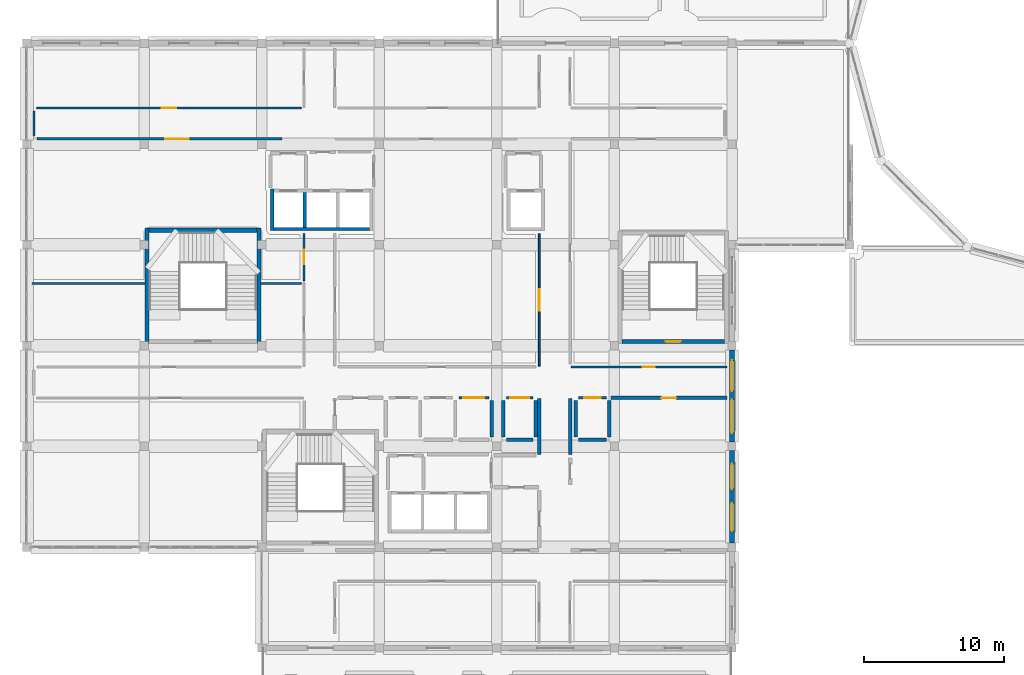
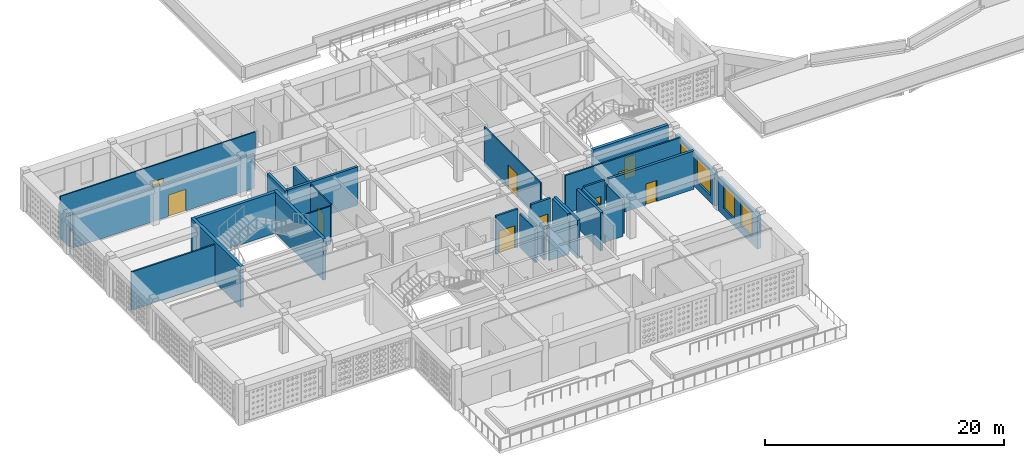
# One storey, part 30 of 48: 30 walls, 10 doors, 4 windows, 14 openings.
"""IFC4 building model written with IfcOpenShell, lengths in metres."""

from ifc_helpers import new_model, si_unit, derived_unit, direction, frame, frame_2d, origin, place, context, subcontext, project, spatial, rectangle, extrude, material, layer, layer_set, type_object, element, fill, save


model = new_model("IFC4")

# Units and contexts
model_context = context("Model", 3, precision=1e-05, world=origin(), true_north=direction((0.0, 1.0)))
body_context = subcontext(model_context, "Body", "Model", "MODEL_VIEW")
ifc_project = project(units=[si_unit("LENGTHUNIT", "METRE"), si_unit("AREAUNIT", "SQUARE_METRE"), si_unit("VOLUMEUNIT", "CUBIC_METRE"), si_unit("PLANEANGLEUNIT", "RADIAN"), si_unit("MASSUNIT", "GRAM", prefix="KILO"), derived_unit("THERMALTRANSMITTANCEUNIT", [(si_unit("POWERUNIT", "WATT"), 1), (si_unit("LENGTHUNIT", "METRE"), -2), (si_unit("THERMODYNAMICTEMPERATUREUNIT", "KELVIN"), -1)])], contexts=[model_context])

# Site, building, storey
site_placement = place(None, origin())
site = spatial("IfcSite", under=ifc_project, at=site_placement, CompositionType="ELEMENT")
building_placement = place(site_placement, origin())
building = spatial("IfcBuilding", under=site, at=building_placement, Name="Veybourne Emporium", CompositionType="ELEMENT")
storey_placement = place(building_placement, frame((0.0, 0.0, 27.89990234375)))
storey = spatial("IfcBuildingStorey", under=building, at=storey_placement, Name="L06", CompositionType="ELEMENT", Elevation=27.89990234375)

# Wall, openings, windows
ifc_material_1 = material(Name="Portland Limestone Ashlar", Category="masonry")
ifc_layer_1 = layer(ifc_material_1, 0.3798828125)
ifc_layer_set_1 = layer_set([ifc_layer_1], Name="Portland Limestone Ashlar")
wall_type_1 = type_object("IfcWallType", Name="ExtWall_EW-03", PredefinedType="SOLIDWALL", material=ifc_layer_set_1)
wall_1_placement = place(storey_placement, frame((50.39990234375, 21.300048828125, 0.0), z_axis=(0.0, 0.0, 1.0), x_axis=(0.0, -1.0, 0.0)))
wall_1 = element("IfcWall", 1, at=wall_1_placement, inside=storey, type_object=wall_type_1, Name="L06 Portland stone external wall 019", PredefinedType="SOLIDWALL", context=body_context, shape_type="SweptSolid", body=[
    extrude(rectangle(XDim=6.60009765625, YDim=0.3798828125, at=frame_2d((3.300048828125, 0.0))), origin(), (0.0, 0.0, 1.0), 3.360107421875),
])
opening_1_placement = place(wall_1_placement, frame((0.947998046875, 0.0, 0.75)))
opening_1 = element("IfcOpeningElement", 2, at=opening_1_placement, cuts=wall_1, Name="Opening W-52", PredefinedType="OPENING", context=body_context, shape_type="SweptSolid", body=[
    extrude(rectangle(XDim=1.800048828125, YDim=2.4599609375, at=frame_2d((0.89990234375, 1.22998046875))), frame((0.0, 0.2099609375, 0.0), z_axis=(0.0, -1.0, 0.0), x_axis=(1.0, 0.0, 0.0)), (0.0, 0.0, 1.0), 0.419921875),
])
opening_2_placement = place(wall_1_placement, frame((3.751953125, 0.0, 0.75)))
opening_2 = element("IfcOpeningElement", 3, at=opening_2_placement, cuts=wall_1, Name="Opening W-53", PredefinedType="OPENING", context=body_context, shape_type="SweptSolid", body=[
    extrude(rectangle(XDim=2.0, YDim=2.4599609375, at=frame_2d((1.0, 1.22998046875))), frame((0.0, 0.2099609375, 0.0), z_axis=(0.0, -1.0, 0.0), x_axis=(1.0, 0.0, 0.0)), (0.0, 0.0, 1.0), 0.419921875),
])
ifc_material_2 = material(Name="Low-E Triple Glazing", Category="glass")
window_type_1 = type_object("IfcWindowType", Name="Win_W-52", PartitioningType="DOUBLE_PANEL_VERTICAL", PredefinedType="WINDOW", material=ifc_material_2)
window_1_placement = place(opening_1_placement, origin())
window_1 = element("IfcWindow", 4, at=window_1_placement, inside=storey, type_object=window_type_1, Name="L06 tripartite bronze casement window W-52 (19.1)", OverallHeight=2.4599609375, OverallWidth=1.800048828125, PartitioningType="DOUBLE_PANEL_VERTICAL", PredefinedType="WINDOW", context=body_context, shape_type="SweptSolid", body=[
    extrude(rectangle(XDim=1.800048828125, YDim=2.4599609375, at=frame_2d((0.89990234375, 1.22998046875))), frame((0.0, 0.030029296875, 0.0), z_axis=(0.0, -1.0, 0.0), x_axis=(1.0, 0.0, 0.0)), (0.0, 0.0, 1.0), 0.06005859375),
])
fill(opening_1, window_1)
window_type_2 = type_object("IfcWindowType", Name="Win_W-53", PartitioningType="TRIPLE_PANEL_VERTICAL", PredefinedType="WINDOW", material=ifc_material_2)
window_2_placement = place(opening_2_placement, origin())
window_2 = element("IfcWindow", 5, at=window_2_placement, inside=storey, type_object=window_type_2, Name="L06 tripartite bronze casement window W-53 (19.2)", OverallHeight=2.4599609375, OverallWidth=2.0, PartitioningType="TRIPLE_PANEL_VERTICAL", PredefinedType="WINDOW", context=body_context, shape_type="SweptSolid", body=[
    extrude(rectangle(XDim=2.0, YDim=2.4599609375, at=frame_2d((1.0, 1.22998046875))), frame((0.0, 0.030029296875, 0.0), z_axis=(0.0, -1.0, 0.0), x_axis=(1.0, 0.0, 0.0)), (0.0, 0.0, 1.0), 0.06005859375),
])
fill(opening_2, window_2)

wall_2_placement = place(storey_placement, frame((50.39990234375, 28.5, 0.0), z_axis=(0.0, 0.0, 1.0), x_axis=(0.0, -1.0, 0.0)))
wall_2 = element("IfcWall", 6, at=wall_2_placement, inside=storey, type_object=wall_type_1, Name="L06 Portland stone external wall 020", PredefinedType="SOLIDWALL", context=body_context, shape_type="SweptSolid", body=[
    extrude(rectangle(XDim=6.60009765625, YDim=0.3798828125, at=frame_2d((3.300048828125, 0.0))), origin(), (0.0, 0.0, 1.0), 3.360107421875),
])
opening_3_placement = place(wall_2_placement, frame((0.748046875, 0.0, 0.75)))
opening_3 = element("IfcOpeningElement", 7, at=opening_3_placement, cuts=wall_2, Name="Opening W-54", PredefinedType="OPENING", context=body_context, shape_type="SweptSolid", body=[
    extrude(rectangle(XDim=2.199951171875, YDim=2.4599609375, at=frame_2d((1.10009765625, 1.22998046875))), frame((0.0, 0.2099609375, 0.0), z_axis=(0.0, -1.0, 0.0), x_axis=(1.0, 0.0, 0.0)), (0.0, 0.0, 1.0), 0.419921875),
])
opening_4_placement = place(wall_2_placement, frame((3.552001953125, 0.0, 0.75)))
opening_4 = element("IfcOpeningElement", 8, at=opening_4_placement, cuts=wall_2, Name="Opening W-55", PredefinedType="OPENING", context=body_context, shape_type="SweptSolid", body=[
    extrude(rectangle(XDim=2.39990234375, YDim=2.4599609375, at=frame_2d((1.199951171875, 1.22998046875))), frame((0.0, 0.2099609375, 0.0), z_axis=(0.0, -1.0, 0.0), x_axis=(1.0, 0.0, 0.0)), (0.0, 0.0, 1.0), 0.419921875),
])
window_type_3 = type_object("IfcWindowType", Name="Win_W-54", PartitioningType="TRIPLE_PANEL_VERTICAL", PredefinedType="WINDOW", material=ifc_material_2)
window_3_placement = place(opening_3_placement, origin())
window_3 = element("IfcWindow", 9, at=window_3_placement, inside=storey, type_object=window_type_3, Name="L06 tripartite bronze casement window W-54 (20.1)", OverallHeight=2.4599609375, OverallWidth=2.199951171875, PartitioningType="TRIPLE_PANEL_VERTICAL", PredefinedType="WINDOW", context=body_context, shape_type="SweptSolid", body=[
    extrude(rectangle(XDim=2.199951171875, YDim=2.4599609375, at=frame_2d((1.10009765625, 1.22998046875))), frame((0.0, 0.030029296875, 0.0), z_axis=(0.0, -1.0, 0.0), x_axis=(1.0, 0.0, 0.0)), (0.0, 0.0, 1.0), 0.06005859375),
])
fill(opening_3, window_3)
window_type_4 = type_object("IfcWindowType", Name="Win_W-55", PartitioningType="TRIPLE_PANEL_VERTICAL", PredefinedType="WINDOW", material=ifc_material_2)
window_4_placement = place(opening_4_placement, origin())
window_4 = element("IfcWindow", 10, at=window_4_placement, inside=storey, type_object=window_type_4, Name="L06 tripartite bronze casement window W-55 (20.2)", OverallHeight=2.4599609375, OverallWidth=2.39990234375, PartitioningType="TRIPLE_PANEL_VERTICAL", PredefinedType="WINDOW", context=body_context, shape_type="SweptSolid", body=[
    extrude(rectangle(XDim=2.39990234375, YDim=2.4599609375, at=frame_2d((1.199951171875, 1.22998046875))), frame((0.0, 0.030029296875, 0.0), z_axis=(0.0, -1.0, 0.0), x_axis=(1.0, 0.0, 0.0)), (0.0, 0.0, 1.0), 0.06005859375),
])
fill(opening_4, window_4)

# Walls
ifc_material_3 = material(Name="Concrete C40/50", Category="concrete")
ifc_layer_2 = layer(ifc_material_3, 0.300048828125)
ifc_layer_set_2 = layer_set([ifc_layer_2], Name="Concrete C40/50")
wall_type_2 = type_object("IfcWallType", Name="IntWall_CW-03", PredefinedType="SHEAR", material=ifc_layer_set_2)
wall_3_placement = place(storey_placement, frame((8.75, 37.050048828125, 0.0), z_axis=(0.0, 0.0, 1.0), x_axis=(1.0, 0.0, 0.0)))
element("IfcWall", 11, at=wall_3_placement, inside=storey, type_object=wall_type_2, Name="Core stair ST-02 north shear wall (L06)", PredefinedType="SHEAR", context=body_context, shape_type="SweptSolid", body=[
    extrude(rectangle(XDim=7.699951171875, YDim=0.300048828125, at=frame_2d((3.85009765625, 0.0))), origin(), (0.0, 0.0, 1.0), 4.2001953125),
])
for number, where, z_axis, x_axis, name in (
    (12, (8.60009765625, 37.199951171875, 0.0), (0.0, 0.0, 1.0), (0.0, -1.0, 0.0), "Core stair ST-02 west shear wall (L06)"),
    (13, (16.60009765625, 28.949951171875, 0.0), (0.0, 0.0, 1.0), (0.0, 1.0, 0.0), "Core stair ST-02 east shear wall (L06)"),
):
    element("IfcWall", number, at=place(storey_placement, frame(where, z_axis=z_axis, x_axis=x_axis)), inside=storey, type_object=wall_type_2, Name=name, PredefinedType="SHEAR", context=body_context, shape_type="SweptSolid", body=[
        extrude(rectangle(XDim=8.25, YDim=0.300048828125, at=frame_2d((4.125, 0.0))), origin(), (0.0, 0.0, 1.0), 4.2001953125),
    ])

# Wall, opening, door
wall_4_placement = place(storey_placement, frame((49.85009765625, 29.10009765625, 0.0), z_axis=(0.0, 0.0, 1.0), x_axis=(-1.0, 0.0, 0.0)))
wall_4 = element("IfcWall", 14, at=wall_4_placement, inside=storey, type_object=wall_type_2, Name="Core stair ST-05 south shear wall (L06)", PredefinedType="SHEAR", context=body_context, shape_type="SweptSolid", body=[
    extrude(rectangle(XDim=7.300048828125, YDim=0.300048828125, at=frame_2d((3.64990234375, 0.0))), origin(), (0.0, 0.0, 1.0), 4.2001953125),
])
opening_5_placement = place(wall_4_placement, frame((3.10009765625, 0.0, 0.0)))
opening_5 = element("IfcOpeningElement", 15, at=opening_5_placement, cuts=wall_4, Name="Opening FD-01", PredefinedType="OPENING", context=body_context, shape_type="SweptSolid", body=[
    extrude(rectangle(XDim=1.10009765625, YDim=2.199951171875, at=frame_2d((0.550048828125, 1.10009765625))), frame((0.0, 0.169921875, 0.0), z_axis=(0.0, -1.0, 0.0), x_axis=(1.0, 0.0, 0.0)), (0.0, 0.0, 1.0), 0.340087890625),
])
ifc_material_4 = material(Name="Patinated Architectural Bronze", Category="bronze")
door_type_1 = type_object("IfcDoorType", Name="FireDoor_FD-01", OperationType="NOTDEFINED", PredefinedType="DOOR", material=ifc_material_4)
door_1_placement = place(opening_5_placement, origin())
door_1 = element("IfcDoor", 16, at=door_1_placement, inside=storey, type_object=door_type_1, Name="Stair ST-05 fire door (L06)", OperationType="SINGLE_SWING_RIGHT", OverallHeight=2.199951171875, OverallWidth=1.10009765625, PredefinedType="DOOR", context=body_context, shape_type="SweptSolid", body=[
    extrude(rectangle(XDim=1.10009765625, YDim=2.199951171875, at=frame_2d((0.550048828125, 1.10009765625))), frame((0.0, 0.02490234375, 0.0), z_axis=(0.0, -1.0, 0.0), x_axis=(1.0, 0.0, 0.0)), (0.0, 0.0, 1.0), 0.050048828125),
])
fill(opening_5, door_1)

# Walls
ifc_layer_3 = layer(ifc_material_3, 0.239990234375)
ifc_layer_set_3 = layer_set([ifc_layer_3], Name="Concrete C40/50")
wall_type_3 = type_object("IfcWallType", Name="IntWall_CW-04", PredefinedType="SHEAR", material=ifc_layer_set_3)
wall_5_placement = place(storey_placement, frame((17.659912109375, 37.1298828125, 0.0), z_axis=(0.0, 0.0, 1.0), x_axis=(1.0, 0.0, 0.0)))
element("IfcWall", 17, at=wall_5_placement, inside=storey, type_object=wall_type_3, Name="Lift core C2 south shaft wall (L06)", PredefinedType="SHEAR", context=body_context, shape_type="SweptSolid", body=[
    extrude(rectangle(XDim=6.820068359375, YDim=0.239990234375, at=frame_2d((3.41015625, 0.0))), origin(), (0.0, 0.0, 1.0), 3.91015625),
])
wall_6_placement = place(storey_placement, frame((17.5400390625, 39.989990234375, 0.0), z_axis=(0.0, 0.0, 1.0), x_axis=(0.0, -1.0, 0.0)))
element("IfcWall", 18, at=wall_6_placement, inside=storey, type_object=wall_type_3, Name="Lift core C2 west shaft wall (L06)", PredefinedType="SHEAR", context=body_context, shape_type="SweptSolid", body=[
    extrude(rectangle(XDim=2.97998046875, YDim=0.239990234375, at=frame_2d((1.489990234375, 0.0))), origin(), (0.0, 0.0, 1.0), 3.91015625),
])
wall_7_placement = place(storey_placement, frame((19.8798828125, 37.25, 0.0), z_axis=(0.0, 0.0, 1.0), x_axis=(0.0, 1.0, 0.0)))
element("IfcWall", 19, at=wall_7_placement, inside=storey, type_object=wall_type_3, Name="Lift core C2 divider wall 1 (L06)", PredefinedType="SHEAR", context=body_context, shape_type="SweptSolid", body=[
    extrude(rectangle(XDim=2.5, YDim=0.239990234375, at=frame_2d((1.25, 0.0))), origin(), (0.0, 0.0, 1.0), 3.91015625),
])

# Wall, opening, door
ifc_material_5 = material(Name="Concrete C32/40", Category="concrete")
ifc_layer_4 = layer(ifc_material_5, 0.25)
ifc_layer_set_4 = layer_set([ifc_layer_4], Name="Concrete C32/40")
wall_type_4 = type_object("IfcWallType", Name="IntWall_FW-01", PredefinedType="SOLIDWALL", material=ifc_layer_set_4)
wall_8_placement = place(storey_placement, frame((41.735107421875, 25.070068359375, 0.0), z_axis=(0.0, 0.0, 1.0), x_axis=(1.0, 0.0, 0.0)))
wall_8 = element("IfcWall", 20, at=wall_8_placement, inside=storey, type_object=wall_type_4, Name="L06 interior partition FW-01 #021", PredefinedType="SOLIDWALL", context=body_context, shape_type="SweptSolid", body=[
    extrude(rectangle(XDim=8.294921875, YDim=0.25, at=frame_2d((4.1474609375, 0.0))), origin(), (0.0, 0.0, 1.0), 3.91015625),
])
opening_6_placement = place(wall_8_placement, frame((3.62255859375, 0.0, 0.0)))
opening_6 = element("IfcOpeningElement", 21, at=opening_6_placement, cuts=wall_8, Name="Opening FD-02", PredefinedType="OPENING", context=body_context, shape_type="SweptSolid", body=[
    extrude(rectangle(XDim=1.050048828125, YDim=2.14990234375, at=frame_2d((0.52490234375, 1.074951171875))), frame((0.0, 0.14501953125, 0.0), z_axis=(0.0, -1.0, 0.0), x_axis=(1.0, 0.0, 0.0)), (0.0, 0.0, 1.0), 0.2900390625),
])
door_type_2 = type_object("IfcDoorType", Name="FireDoor_FD-02", OperationType="NOTDEFINED", PredefinedType="DOOR", material=ifc_material_4)
door_2_placement = place(opening_6_placement, origin())
door_2 = element("IfcDoor", 22, at=door_2_placement, inside=storey, type_object=door_type_2, Name="L06 interior door FD-02 (PART-L06-021)", OperationType="SINGLE_SWING_LEFT", OverallHeight=2.14990234375, OverallWidth=1.050048828125, PredefinedType="DOOR", context=body_context, shape_type="SweptSolid", body=[
    extrude(rectangle(XDim=1.050048828125, YDim=2.14990234375, at=frame_2d((0.52490234375, 1.074951171875))), frame((0.0, 0.02490234375, 0.0), z_axis=(0.0, -1.0, 0.0), x_axis=(1.0, 0.0, 0.0)), (0.0, 0.0, 1.0), 0.050048828125),
])
fill(opening_6, door_2)

# Walls
for number, where, z_axis, x_axis, name in (
    (23, (36.6201171875, 21.030029296875, 0.0), (0.0, 0.0, 1.0), (0.0, 1.0, 0.0), "L06 interior partition FW-01 #032"),
    (24, (38.830078125, 21.030029296875, 0.0), (0.0, 0.0, 1.0), (0.0, 1.0, 0.0), "L06 interior partition FW-01 #033"),
):
    element("IfcWall", number, at=place(storey_placement, frame(where, z_axis=z_axis, x_axis=x_axis)), inside=storey, type_object=wall_type_4, Name=name, PredefinedType="SOLIDWALL", context=body_context, shape_type="SweptSolid", body=[
        extrude(rectangle(XDim=3.989990234375, YDim=0.25, at=frame_2d((1.9951171875, 0.0))), origin(), (0.0, 0.0, 1.0), 3.91015625),
    ])
wall_9_placement = place(storey_placement, frame((33.22998046875, 22.280029296875, 0.0), z_axis=(0.0, 0.0, 1.0), x_axis=(0.0, 1.0, 0.0)))
element("IfcWall", 25, at=wall_9_placement, inside=storey, type_object=wall_type_4, Name="L06 interior partition FW-01 #059", PredefinedType="SOLIDWALL", context=body_context, shape_type="SweptSolid", body=[
    extrude(rectangle(XDim=2.590087890625, YDim=0.25, at=frame_2d((1.294921875, 0.0))), origin(), (0.0, 0.0, 1.0), 3.460205078125),
])
wall_10_placement = place(storey_placement, frame((36.3798828125, 22.280029296875, 0.0), z_axis=(0.0, 0.0, 1.0), x_axis=(0.0, 1.0, 0.0)))
element("IfcWall", 26, at=wall_10_placement, inside=storey, type_object=wall_type_4, Name="L06 interior partition FW-01 #060", PredefinedType="SOLIDWALL", context=body_context, shape_type="SweptSolid", body=[
    extrude(rectangle(XDim=2.590087890625, YDim=0.25, at=frame_2d((1.294921875, 0.0))), origin(), (0.0, 0.0, 1.0), 3.91015625),
])
for number, where, z_axis, x_axis, name in (
    (27, (34.070068359375, 22.280029296875, 0.0), (0.0, 0.0, 1.0), (0.0, 1.0, 0.0), "L06 interior partition FW-01 #061"),
    (28, (41.6298828125, 22.280029296875, 0.0), (0.0, 0.0, 1.0), (0.0, 1.0, 0.0), "L06 interior partition FW-01 #062"),
):
    element("IfcWall", number, at=place(storey_placement, frame(where, z_axis=z_axis, x_axis=x_axis)), inside=storey, type_object=wall_type_4, Name=name, PredefinedType="SOLIDWALL", context=body_context, shape_type="SweptSolid", body=[
        extrude(rectangle(XDim=2.590087890625, YDim=0.25, at=frame_2d((1.294921875, 0.0))), origin(), (0.0, 0.0, 1.0), 3.460205078125),
    ])
wall_11_placement = place(storey_placement, frame((39.219970703125, 22.280029296875, 0.0), z_axis=(0.0, 0.0, 1.0), x_axis=(0.0, 1.0, 0.0)))
element("IfcWall", 29, at=wall_11_placement, inside=storey, type_object=wall_type_4, Name="L06 interior partition FW-01 #063", PredefinedType="SOLIDWALL", context=body_context, shape_type="SweptSolid", body=[
    extrude(rectangle(XDim=2.590087890625, YDim=0.25, at=frame_2d((1.294921875, 0.0))), origin(), (0.0, 0.0, 1.0), 3.91015625),
])
wall_12_placement = place(storey_placement, frame((39.429931640625, 22.070068359375, 0.0), z_axis=(0.0, 0.0, 1.0), x_axis=(1.0, 0.0, 0.0)))
element("IfcWall", 30, at=wall_12_placement, inside=storey, type_object=wall_type_4, Name="L06 interior partition FW-01 #066", PredefinedType="SOLIDWALL", context=body_context, shape_type="SweptSolid", body=[
    extrude(rectangle(XDim=1.989990234375, YDim=0.25, at=frame_2d((0.9951171875, 0.0))), origin(), (0.0, 0.0, 1.0), 3.460205078125),
])
wall_13_placement = place(storey_placement, frame((34.280029296875, 22.070068359375, 0.0), z_axis=(0.0, 0.0, 1.0), x_axis=(1.0, 0.0, 0.0)))
element("IfcWall", 31, at=wall_13_placement, inside=storey, type_object=wall_type_4, Name="L06 interior partition FW-01 #067", PredefinedType="SOLIDWALL", context=body_context, shape_type="SweptSolid", body=[
    extrude(rectangle(XDim=1.889892578125, YDim=0.25, at=frame_2d((0.94482421875, 0.0))), origin(), (0.0, 0.0, 1.0), 3.460205078125),
])

# Wall, opening, door
ifc_material_6 = material(Name="Gypsum Acoustic Board", Category="gypsum")
ifc_layer_5 = layer(ifc_material_6, 0.179931640625)
ifc_layer_set_5 = layer_set([ifc_layer_5], Name="Gypsum Acoustic Board")
wall_type_5 = type_object("IfcWallType", Name="IntWall_IW-01", PredefinedType="PARTITIONING", material=ifc_layer_set_5)
wall_14_placement = place(storey_placement, frame((0.72998046875, 43.570068359375, 0.0), z_axis=(0.0, 0.0, 1.0), x_axis=(1.0, 0.0, 0.0)))
wall_14 = element("IfcWall", 32, at=wall_14_placement, inside=storey, type_object=wall_type_5, Name="L06 interior partition IW-01 #002", PredefinedType="PARTITIONING", context=body_context, shape_type="SweptSolid", body=[
    extrude(rectangle(XDim=17.500244140625, YDim=0.179931640625, at=frame_2d((8.75, 0.0))), origin(), (0.0, 0.0, 1.0), 3.460205078125),
])
opening_7_placement = place(wall_14_placement, frame((9.17578125, 0.0, 0.0)))
opening_7 = element("IfcOpeningElement", 33, at=opening_7_placement, cuts=wall_14, Name="Opening D-18", PredefinedType="OPENING", context=body_context, shape_type="SweptSolid", body=[
    extrude(rectangle(XDim=1.679931640625, YDim=2.2099609375, at=frame_2d((0.83984375, 1.10498046875))), frame((0.0, 0.10986328125, 0.0), z_axis=(0.0, -1.0, 0.0), x_axis=(1.0, 0.0, 0.0)), (0.0, 0.0, 1.0), 0.219970703125),
])
ifc_material_7 = material(Name="European Oak Veneer and Bronze", Category="wood")
door_type_3 = type_object("IfcDoorType", Name="IntDoor_D-18", OperationType="DOUBLE_DOOR_SINGLE_SWING", PredefinedType="DOOR", material=ifc_material_7)
door_3_placement = place(opening_7_placement, origin())
door_3 = element("IfcDoor", 34, at=door_3_placement, inside=storey, type_object=door_type_3, Name="L06 interior door D-18 (PART-L06-002)", OperationType="DOUBLE_DOOR_SINGLE_SWING", OverallHeight=2.2099609375, OverallWidth=1.679931640625, PredefinedType="DOOR", context=body_context, shape_type="SweptSolid", body=[
    extrude(rectangle(XDim=1.679931640625, YDim=2.2099609375, at=frame_2d((0.83984375, 1.10498046875))), frame((0.0, 0.02490234375, 0.0), z_axis=(0.0, -1.0, 0.0), x_axis=(1.0, 0.0, 0.0)), (0.0, 0.0, 1.0), 0.050048828125),
])
fill(opening_7, door_3)

ifc_layer_6 = layer(ifc_material_6, 0.14990234375)
ifc_layer_set_6 = layer_set([ifc_layer_6], Name="Gypsum Acoustic Board")
wall_type_6 = type_object("IfcWallType", Name="IntWall_IW-02", PredefinedType="PARTITIONING", material=ifc_layer_set_6)
wall_15_placement = place(storey_placement, frame((38.8798828125, 27.280029296875, 0.0), z_axis=(0.0, 0.0, 1.0), x_axis=(1.0, 0.0, 0.0)))
wall_15 = element("IfcWall", 35, at=wall_15_placement, inside=storey, type_object=wall_type_6, Name="L06 interior partition IW-02 #015", PredefinedType="PARTITIONING", context=body_context, shape_type="SweptSolid", body=[
    extrude(rectangle(XDim=11.150146484375, YDim=0.14990234375, at=frame_2d((5.5751953125, 0.0))), origin(), (0.0, 0.0, 1.0), 3.91015625),
])
opening_8_placement = place(wall_15_placement, frame((5.135009765625, 0.0, 0.0)))
opening_8 = element("IfcOpeningElement", 36, at=opening_8_placement, cuts=wall_15, Name="Opening D-31", PredefinedType="OPENING", context=body_context, shape_type="SweptSolid", body=[
    extrude(rectangle(XDim=0.8798828125, YDim=2.449951171875, at=frame_2d((0.43994140625, 1.22509765625))), frame((0.0, 0.094970703125, 0.0), z_axis=(0.0, -1.0, 0.0), x_axis=(1.0, 0.0, 0.0)), (0.0, 0.0, 1.0), 0.18994140625),
])
door_type_4 = type_object("IfcDoorType", Name="IntDoor_D-31", OperationType="NOTDEFINED", PredefinedType="DOOR", material=ifc_material_7)
door_4_placement = place(opening_8_placement, origin())
door_4 = element("IfcDoor", 37, at=door_4_placement, inside=storey, type_object=door_type_4, Name="L06 interior door D-31 (PART-L06-015)", OperationType="SINGLE_SWING_RIGHT", OverallHeight=2.449951171875, OverallWidth=0.8798828125, PredefinedType="DOOR", context=body_context, shape_type="SweptSolid", body=[
    extrude(rectangle(XDim=0.8798828125, YDim=2.449951171875, at=frame_2d((0.43994140625, 1.22509765625))), frame((0.0, 0.02490234375, 0.0), z_axis=(0.0, -1.0, 0.0), x_axis=(1.0, 0.0, 0.0)), (0.0, 0.0, 1.0), 0.050048828125),
])
fill(opening_8, door_4)

# Walls
wall_16_placement = place(storey_placement, frame((0.52001953125, 43.780029296875, 0.0), z_axis=(0.0, 0.0, 1.0), x_axis=(0.0, 1.0, 0.0)))
element("IfcWall", 38, at=wall_16_placement, inside=storey, type_object=wall_type_6, Name="L06 interior partition IW-02 #051", PredefinedType="PARTITIONING", context=body_context, shape_type="SweptSolid", body=[
    extrude(rectangle(XDim=1.7900390625, YDim=0.14990234375, at=frame_2d((0.89501953125, 0.0))), origin(), (0.0, 0.0, 1.0), 3.360107421875),
])
wall_17_placement = place(storey_placement, frame((0.3701171875, 33.239990234375, 0.0), z_axis=(0.0, 0.0, 1.0), x_axis=(1.0, 0.0, 0.0)))
element("IfcWall", 39, at=wall_17_placement, inside=storey, type_object=wall_type_6, Name="L06 interior partition IW-02 #054", PredefinedType="PARTITIONING", context=body_context, shape_type="SweptSolid", body=[
    extrude(rectangle(XDim=8.08984375, YDim=0.14990234375, at=frame_2d((4.044921875, 0.0))), origin(), (0.0, 0.0, 1.0), 3.91015625),
])

# Wall, opening, door
ifc_layer_7 = layer(ifc_material_6, 0.1201171875)
ifc_layer_set_7 = layer_set([ifc_layer_7], Name="Gypsum Acoustic Board")
wall_type_7 = type_object("IfcWallType", Name="IntWall_IW-03", PredefinedType="PARTITIONING", material=ifc_layer_set_7)
wall_18_placement = place(storey_placement, frame((0.72998046875, 45.780029296875, 0.0), z_axis=(0.0, 0.0, 1.0), x_axis=(1.0, 0.0, 0.0)))
wall_18 = element("IfcWall", 40, at=wall_18_placement, inside=storey, type_object=wall_type_7, Name="L06 interior partition IW-03 #004", PredefinedType="PARTITIONING", context=body_context, shape_type="SweptSolid", body=[
    extrude(rectangle(XDim=18.880126953125, YDim=0.1201171875, at=frame_2d((9.43994140625, 0.0))), origin(), (0.0, 0.0, 1.0), 3.91015625),
])
opening_9_placement = place(wall_18_placement, frame((8.919921875, 0.0, 0.0)))
opening_9 = element("IfcOpeningElement", 41, at=opening_9_placement, cuts=wall_18, Name="Opening D-20", PredefinedType="OPENING", context=body_context, shape_type="SweptSolid", body=[
    extrude(rectangle(XDim=1.0400390625, YDim=2.2900390625, at=frame_2d((0.52001953125, 1.14501953125))), frame((0.0, 0.080078125, 0.0), z_axis=(0.0, -1.0, 0.0), x_axis=(1.0, 0.0, 0.0)), (0.0, 0.0, 1.0), 0.16015625),
])
door_type_5 = type_object("IfcDoorType", Name="IntDoor_D-20", OperationType="NOTDEFINED", PredefinedType="DOOR", material=ifc_material_7)
door_5_placement = place(opening_9_placement, origin())
door_5 = element("IfcDoor", 42, at=door_5_placement, inside=storey, type_object=door_type_5, Name="L06 interior door D-20 (PART-L06-004)", OperationType="SINGLE_SWING_RIGHT", OverallHeight=2.2900390625, OverallWidth=1.0400390625, PredefinedType="DOOR", context=body_context, shape_type="SweptSolid", body=[
    extrude(rectangle(XDim=1.0400390625, YDim=2.2900390625, at=frame_2d((0.52001953125, 1.14501953125))), frame((0.0, 0.02490234375, 0.0), z_axis=(0.0, -1.0, 0.0), x_axis=(1.0, 0.0, 0.0)), (0.0, 0.0, 1.0), 0.050048828125),
])
fill(opening_9, door_5)

wall_19_placement = place(storey_placement, frame((36.6201171875, 27.330078125, 0.0), z_axis=(0.0, 0.0, 1.0), x_axis=(0.0, 1.0, 0.0)))
wall_19 = element("IfcWall", 43, at=wall_19_placement, inside=storey, type_object=wall_type_7, Name="L06 interior partition IW-03 #019", PredefinedType="PARTITIONING", context=body_context, shape_type="SweptSolid", body=[
    extrude(rectangle(XDim=9.469970703125, YDim=0.1201171875, at=frame_2d((4.73486328125, 0.0))), origin(), (0.0, 0.0, 1.0), 3.91015625),
])
opening_10_placement = place(wall_19_placement, frame((3.97509765625, 0.0, 0.0)))
opening_10 = element("IfcOpeningElement", 44, at=opening_10_placement, cuts=wall_19, Name="Opening D-35", PredefinedType="OPENING", context=body_context, shape_type="SweptSolid", body=[
    extrude(rectangle(XDim=1.52001953125, YDim=2.449951171875, at=frame_2d((0.760009765625, 1.22509765625))), frame((0.0, 0.080078125, 0.0), z_axis=(0.0, -1.0, 0.0), x_axis=(1.0, 0.0, 0.0)), (0.0, 0.0, 1.0), 0.16015625),
])
door_type_6 = type_object("IfcDoorType", Name="IntDoor_D-35", OperationType="NOTDEFINED", PredefinedType="DOOR", material=ifc_material_7)
door_6_placement = place(opening_10_placement, origin())
door_6 = element("IfcDoor", 45, at=door_6_placement, inside=storey, type_object=door_type_6, Name="L06 interior door D-35 (PART-L06-019)", OperationType="SINGLE_SWING_RIGHT", OverallHeight=2.449951171875, OverallWidth=1.52001953125, PredefinedType="DOOR", context=body_context, shape_type="SweptSolid", body=[
    extrude(rectangle(XDim=1.52001953125, YDim=2.449951171875, at=frame_2d((0.760009765625, 1.22509765625))), frame((0.0, 0.02490234375, 0.0), z_axis=(0.0, -1.0, 0.0), x_axis=(1.0, 0.0, 0.0)), (0.0, 0.0, 1.0), 0.050048828125),
])
fill(opening_10, door_6)

wall_20_placement = place(storey_placement, frame((19.820068359375, 33.449951171875, 0.0), z_axis=(0.0, 0.0, 1.0), x_axis=(0.0, 1.0, 0.0)))
wall_20 = element("IfcWall", 46, at=wall_20_placement, inside=storey, type_object=wall_type_7, Name="L06 interior partition IW-03 #034", PredefinedType="PARTITIONING", context=body_context, shape_type="SweptSolid", body=[
    extrude(rectangle(XDim=3.35009765625, YDim=0.1201171875, at=frame_2d((1.675048828125, 0.0))), origin(), (0.0, 0.0, 1.0), 3.91015625),
])
opening_11_placement = place(wall_20_placement, frame((1.155029296875, 0.0, 0.0)))
opening_11 = element("IfcOpeningElement", 47, at=opening_11_placement, cuts=wall_20, Name="Opening D-14", PredefinedType="OPENING", context=body_context, shape_type="SweptSolid", body=[
    extrude(rectangle(XDim=1.0400390625, YDim=2.2099609375, at=frame_2d((0.52001953125, 1.10498046875))), frame((0.0, 0.080078125, 0.0), z_axis=(0.0, -1.0, 0.0), x_axis=(1.0, 0.0, 0.0)), (0.0, 0.0, 1.0), 0.16015625),
])
door_type_7 = type_object("IfcDoorType", Name="IntDoor_D-14", OperationType="NOTDEFINED", PredefinedType="DOOR", material=ifc_material_7)
door_7_placement = place(opening_11_placement, origin())
door_7 = element("IfcDoor", 48, at=door_7_placement, inside=storey, type_object=door_type_7, Name="L06 interior door D-14 (PART-L06-034)", OperationType="SINGLE_SWING_LEFT", OverallHeight=2.2099609375, OverallWidth=1.0400390625, PredefinedType="DOOR", context=body_context, shape_type="SweptSolid", body=[
    extrude(rectangle(XDim=1.0400390625, YDim=2.2099609375, at=frame_2d((0.52001953125, 1.10498046875))), frame((0.0, 0.02490234375, 0.0), z_axis=(0.0, -1.0, 0.0), x_axis=(1.0, 0.0, 0.0)), (0.0, 0.0, 1.0), 0.050048828125),
])
fill(opening_11, door_7)

# Wall
wall_21_placement = place(storey_placement, frame((16.739990234375, 33.239990234375, 0.0), z_axis=(0.0, 0.0, 1.0), x_axis=(1.0, 0.0, 0.0)))
element("IfcWall", 49, at=wall_21_placement, inside=storey, type_object=wall_type_7, Name="L06 interior partition IW-03 #055", PredefinedType="PARTITIONING", context=body_context, shape_type="SweptSolid", body=[
    extrude(rectangle(XDim=2.8701171875, YDim=0.1201171875, at=frame_2d((1.43505859375, 0.0))), origin(), (0.0, 0.0, 1.0), 3.91015625),
])

# Wall, opening, door
ifc_layer_8 = layer(ifc_material_6, 0.199951171875)
ifc_layer_set_8 = layer_set([ifc_layer_8], Name="Gypsum Acoustic Board")
wall_type_8 = type_object("IfcWallType", Name="IntWall_IW-04", PredefinedType="PLUMBINGWALL", material=ifc_layer_set_8)
wall_22_placement = place(storey_placement, frame((30.8798828125, 25.080078125, 0.0), z_axis=(0.0, 0.0, 1.0), x_axis=(1.0, 0.0, 0.0)))
wall_22 = element("IfcWall", 50, at=wall_22_placement, inside=storey, type_object=wall_type_8, Name="L06 interior partition IW-04 #043", PredefinedType="PLUMBINGWALL", context=body_context, shape_type="SweptSolid", body=[
    extrude(rectangle(XDim=2.14013671875, YDim=0.199951171875, at=frame_2d((1.070068359375, 0.0))), origin(), (0.0, 0.0, 1.0), 3.91015625),
])
opening_12_placement = place(wall_22_placement, frame((0.31005859375, 0.0, 0.0)))
opening_12 = element("IfcOpeningElement", 51, at=opening_12_placement, cuts=wall_22, Name="Opening D-23", PredefinedType="OPENING", context=body_context, shape_type="SweptSolid", body=[
    extrude(rectangle(XDim=1.52001953125, YDim=2.2900390625, at=frame_2d((0.760009765625, 1.14501953125))), frame((0.0, 0.1201171875, 0.0), z_axis=(0.0, -1.0, 0.0), x_axis=(1.0, 0.0, 0.0)), (0.0, 0.0, 1.0), 0.239990234375),
])
door_type_8 = type_object("IfcDoorType", Name="IntDoor_D-23", OperationType="NOTDEFINED", PredefinedType="DOOR", material=ifc_material_7)
door_8_placement = place(opening_12_placement, origin())
door_8 = element("IfcDoor", 52, at=door_8_placement, inside=storey, type_object=door_type_8, Name="L06 interior door D-23 (PART-L06-043)", OperationType="SINGLE_SWING_LEFT", OverallHeight=2.2900390625, OverallWidth=1.52001953125, PredefinedType="DOOR", context=body_context, shape_type="SweptSolid", body=[
    extrude(rectangle(XDim=1.52001953125, YDim=2.2900390625, at=frame_2d((0.760009765625, 1.14501953125))), frame((0.0, 0.02490234375, 0.0), z_axis=(0.0, -1.0, 0.0), x_axis=(1.0, 0.0, 0.0)), (0.0, 0.0, 1.0), 0.050048828125),
])
fill(opening_12, door_8)

wall_23_placement = place(storey_placement, frame((39.429931640625, 25.080078125, 0.0), z_axis=(0.0, 0.0, 1.0), x_axis=(1.0, 0.0, 0.0)))
wall_23 = element("IfcWall", 53, at=wall_23_placement, inside=storey, type_object=wall_type_8, Name="L06 interior partition IW-04 #047", PredefinedType="PLUMBINGWALL", context=body_context, shape_type="SweptSolid", body=[
    extrude(rectangle(XDim=1.989990234375, YDim=0.199951171875, at=frame_2d((0.9951171875, 0.0))), origin(), (0.0, 0.0, 1.0), 3.91015625),
])
opening_13_placement = place(wall_23_placement, frame((0.39501953125, 0.0, 0.0)))
opening_13 = element("IfcOpeningElement", 54, at=opening_13_placement, cuts=wall_23, Name="Opening D-27", PredefinedType="OPENING", context=body_context, shape_type="SweptSolid", body=[
    extrude(rectangle(XDim=1.199951171875, YDim=2.3701171875, at=frame_2d((0.60009765625, 1.18505859375))), frame((0.0, 0.1201171875, 0.0), z_axis=(0.0, -1.0, 0.0), x_axis=(1.0, 0.0, 0.0)), (0.0, 0.0, 1.0), 0.239990234375),
])
door_type_9 = type_object("IfcDoorType", Name="IntDoor_D-27", OperationType="NOTDEFINED", PredefinedType="DOOR", material=ifc_material_7)
door_9_placement = place(opening_13_placement, origin())
door_9 = element("IfcDoor", 55, at=door_9_placement, inside=storey, type_object=door_type_9, Name="L06 interior door D-27 (PART-L06-047)", OperationType="SINGLE_SWING_RIGHT", OverallHeight=2.3701171875, OverallWidth=1.199951171875, PredefinedType="DOOR", context=body_context, shape_type="SweptSolid", body=[
    extrude(rectangle(XDim=1.199951171875, YDim=2.3701171875, at=frame_2d((0.60009765625, 1.18505859375))), frame((0.0, 0.02490234375, 0.0), z_axis=(0.0, -1.0, 0.0), x_axis=(1.0, 0.0, 0.0)), (0.0, 0.0, 1.0), 0.050048828125),
])
fill(opening_13, door_9)

wall_24_placement = place(storey_placement, frame((34.280029296875, 25.080078125, 0.0), z_axis=(0.0, 0.0, 1.0), x_axis=(1.0, 0.0, 0.0)))
wall_24 = element("IfcWall", 56, at=wall_24_placement, inside=storey, type_object=wall_type_8, Name="L06 interior partition IW-04 #048", PredefinedType="PLUMBINGWALL", context=body_context, shape_type="SweptSolid", body=[
    extrude(rectangle(XDim=1.889892578125, YDim=0.199951171875, at=frame_2d((0.94482421875, 0.0))), origin(), (0.0, 0.0, 1.0), 3.91015625),
])
opening_14_placement = place(wall_24_placement, frame((0.264892578125, 0.0, 0.0)))
opening_14 = element("IfcOpeningElement", 57, at=opening_14_placement, cuts=wall_24, Name="Opening D-28", PredefinedType="OPENING", context=body_context, shape_type="SweptSolid", body=[
    extrude(rectangle(XDim=1.360107421875, YDim=2.3701171875, at=frame_2d((0.68017578125, 1.18505859375))), frame((0.0, 0.1201171875, 0.0), z_axis=(0.0, -1.0, 0.0), x_axis=(1.0, 0.0, 0.0)), (0.0, 0.0, 1.0), 0.239990234375),
])
door_type_10 = type_object("IfcDoorType", Name="IntDoor_D-28", OperationType="NOTDEFINED", PredefinedType="DOOR", material=ifc_material_7)
door_10_placement = place(opening_14_placement, origin())
door_10 = element("IfcDoor", 58, at=door_10_placement, inside=storey, type_object=door_type_10, Name="L06 interior door D-28 (PART-L06-048)", OperationType="SINGLE_SWING_LEFT", OverallHeight=2.3701171875, OverallWidth=1.360107421875, PredefinedType="DOOR", context=body_context, shape_type="SweptSolid", body=[
    extrude(rectangle(XDim=1.360107421875, YDim=2.3701171875, at=frame_2d((0.68017578125, 1.18505859375))), frame((0.0, 0.02490234375, 0.0), z_axis=(0.0, -1.0, 0.0), x_axis=(1.0, 0.0, 0.0)), (0.0, 0.0, 1.0), 0.050048828125),
])
fill(opening_14, door_10)

save(model, "model.ifc")
